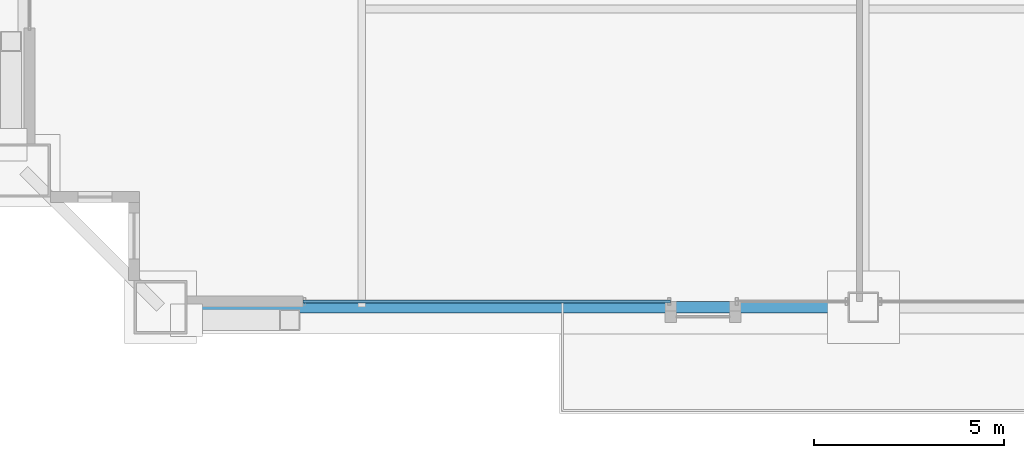
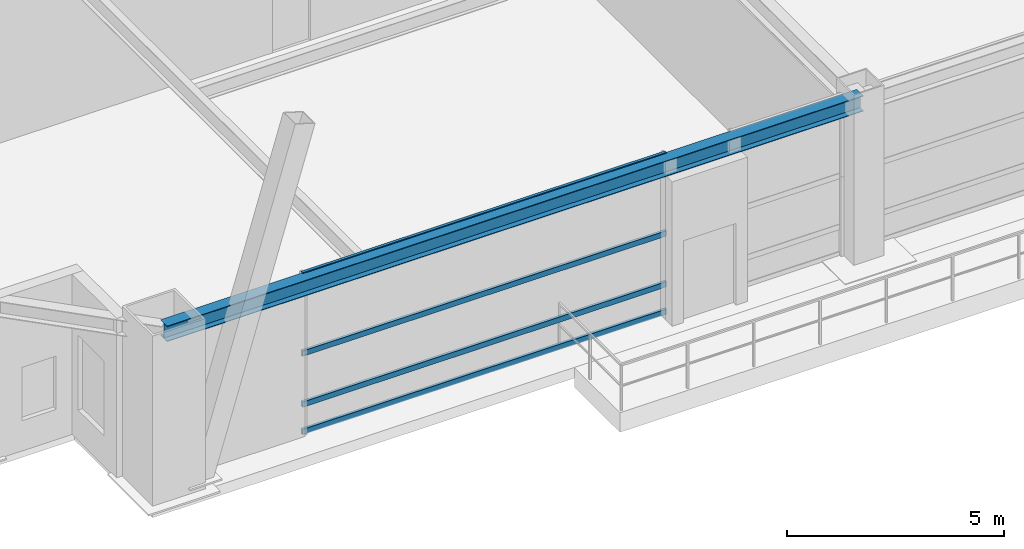
# One storey, part 5 of 34: 4 members, 1 beam, 1 element without a shape of its own.
"""IFC4 building model written with IfcOpenShell, lengths in metres."""

from ifc_helpers import new_model, si_unit, direction, frame, origin, origin_2d, place, context, subcontext, project, spatial, hollow_rectangle, i_section, extrude, source, transform, mapped, material, layer, layer_set, material_profile, profile_set, type_object, element, aggregate, save


model = new_model("IFC4")

# Units and contexts
model_context = context("Model", 3, precision=1e-05, world=origin(), true_north=direction((0.0, 1.0)))
body_context = subcontext(model_context, "Body", "Model", "MODEL_VIEW")
ifc_project = project(units=[si_unit("LENGTHUNIT", "METRE"), si_unit("AREAUNIT", "SQUARE_METRE"), si_unit("VOLUMEUNIT", "CUBIC_METRE"), si_unit("PLANEANGLEUNIT", "RADIAN"), si_unit("MASSUNIT", "GRAM", prefix="KILO"), si_unit("THERMODYNAMICTEMPERATUREUNIT", "KELVIN"), si_unit("POWERUNIT", "WATT")], contexts=[model_context])

# Site, building, storey
site_placement = place(None, origin())
site = spatial("IfcSite", under=ifc_project, at=site_placement, CompositionType="ELEMENT")
building_placement = place(site_placement, origin())
building = spatial("IfcBuilding", under=site, at=building_placement, Name="Yuzanri Waterfront Tower", CompositionType="ELEMENT")
storey_placement = place(building_placement, frame((0.0, 0.0, 166.800048828125)))
storey = spatial("IfcBuildingStorey", under=building, at=storey_placement, Name="L44", CompositionType="ELEMENT", Elevation=166.800048828125)

# Beam
ifc_material_1 = material(Name="Steel Q355B", Category="steel")
ifc_material_profile_1 = material_profile(ifc_material_1, i_section(OverallWidth=0.300048828125, OverallDepth=0.43994140625, WebThickness=0.010986328125, FlangeThickness=0.01806640625, at=origin_2d()), Name="HM 440x300x11x18")
ifc_profile_set_1 = profile_set([ifc_material_profile_1], Name="Steel Q355B")
beam_type = type_object("IfcBeamType", Name="Perimeter Spandrel Q355B HM 440x300", PredefinedType="SPANDREL", material=ifc_profile_set_1)
shared_shape_1 = source(origin(), body_context, "Body", "SweptSolid", [
    extrude(i_section(OverallWidth=0.300048828125, OverallDepth=0.43994140625, WebThickness=0.010986328125, FlangeThickness=0.01806640625, at=origin_2d()), origin(), (0.0, 0.0, 1.0), 18.5),
])
beam_placement = place(storey_placement, frame((18.5, 3.699951171875, 4.280029296875), z_axis=(1.0, 0.0, 0.0), x_axis=(0.0, 1.0, 0.0)))
element("IfcBeam", 1, at=beam_placement, inside=storey, type_object=beam_type, Name="L44 Perimeter Spandrel S1-S2", PredefinedType="SPANDREL", context=body_context, shape_type="MappedRepresentation", body=[
    mapped(shared_shape_1, transform((0.0, 0.0, 0.0), scale=1.0)),
])

# Curtain wall, members
ifc_material_2 = material(Name="Anodized Architectural Bronze", Category="metal")
ifc_layer = layer(ifc_material_2, 0.159912109375)
ifc_layer_set = layer_set([ifc_layer], Name="Anodized Architectural Bronze")
curtain_wall_type = type_object("IfcCurtainWallType", Name="Anodized Bronze Sky-Lobby Triple-Glazed Feature Curtain Wall 7500", PredefinedType="NOTDEFINED", material=ifc_layer_set)
curtain_wall_placement = place(storey_placement, origin())
curtain_wall = element("IfcCurtainWall", 2, at=curtain_wall_placement, inside=storey, type_object=curtain_wall_type, Name="L44 Curtain Wall CW-L44-SL1", PredefinedType="NOTDEFINED")
ifc_material_3 = material(Name="Anodized Architectural Bronze", Category="metal")
ifc_material_profile_2 = material_profile(ifc_material_3, hollow_rectangle(XDim=0.074951171875, YDim=0.14990234375, WallThickness=0.00390625, at=origin_2d()), Name="CWT 75x150")
ifc_profile_set_2 = profile_set([ifc_material_profile_2], Name="Anodized Architectural Bronze")
member_type = type_object("IfcMemberType", Name="Anodized Bronze Primary Curtain-Wall Transom 75x150", PredefinedType="USERDEFINED", material=ifc_profile_set_2)
shared_shape_2 = source(origin(), body_context, "Body", "SweptSolid", [
    extrude(hollow_rectangle(XDim=0.074951171875, YDim=0.14990234375, WallThickness=0.00390625, at=origin_2d()), origin(), (0.0, 0.0, 1.0), 9.675048828125),
])
member_1_placement = place(storey_placement, frame((22.25, 3.85009765625, 0.050048828125), z_axis=(1.0, 0.0, 0.0), x_axis=(0.0, 1.0, 0.0)))
member_1 = element("IfcMember", 3, at=member_1_placement, type_object=member_type, Name="CW-L44-SL1 Transom 1", ObjectType="TRANSOM", PredefinedType="USERDEFINED", context=body_context, shape_type="MappedRepresentation", body=[
    mapped(shared_shape_2, transform((0.0, 0.0, 0.0), scale=1.0)),
])
member_2_placement = place(storey_placement, frame((22.25, 3.85009765625, 0.820068359375), z_axis=(1.0, 0.0, 0.0), x_axis=(0.0, 1.0, 0.0)))
member_2 = element("IfcMember", 4, at=member_2_placement, type_object=member_type, Name="CW-L44-SL1 Transom 2", ObjectType="TRANSOM", PredefinedType="USERDEFINED", context=body_context, shape_type="MappedRepresentation", body=[
    mapped(shared_shape_2, transform((0.0, 0.0, 0.0), scale=1.0)),
])
member_3_placement = place(storey_placement, frame((22.25, 3.85009765625, 2.25), z_axis=(1.0, 0.0, 0.0), x_axis=(0.0, 1.0, 0.0)))
member_3 = element("IfcMember", 5, at=member_3_placement, type_object=member_type, Name="CW-L44-SL1 Transom 3", ObjectType="TRANSOM", PredefinedType="USERDEFINED", context=body_context, shape_type="MappedRepresentation", body=[
    mapped(shared_shape_2, transform((0.0, 0.0, 0.0), scale=1.0)),
])
member_4_placement = place(storey_placement, frame((22.25, 3.85009765625, 4.449951171875), z_axis=(1.0, 0.0, 0.0), x_axis=(0.0, 1.0, 0.0)))
member_4 = element("IfcMember", 6, at=member_4_placement, type_object=member_type, Name="CW-L44-SL1 Transom 4", ObjectType="TRANSOM", PredefinedType="USERDEFINED", context=body_context, shape_type="MappedRepresentation", body=[
    mapped(shared_shape_2, transform((0.0, 0.0, 0.0), scale=1.0)),
])
aggregate(curtain_wall, [member_1, member_2, member_3, member_4])

save(model, "model.ifc")
